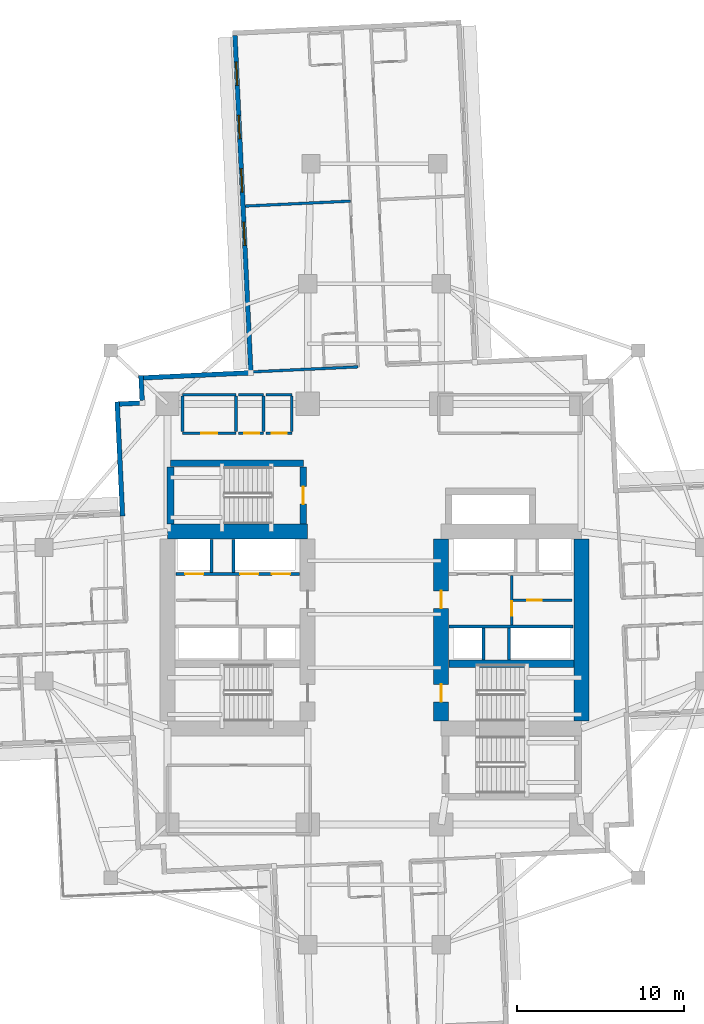
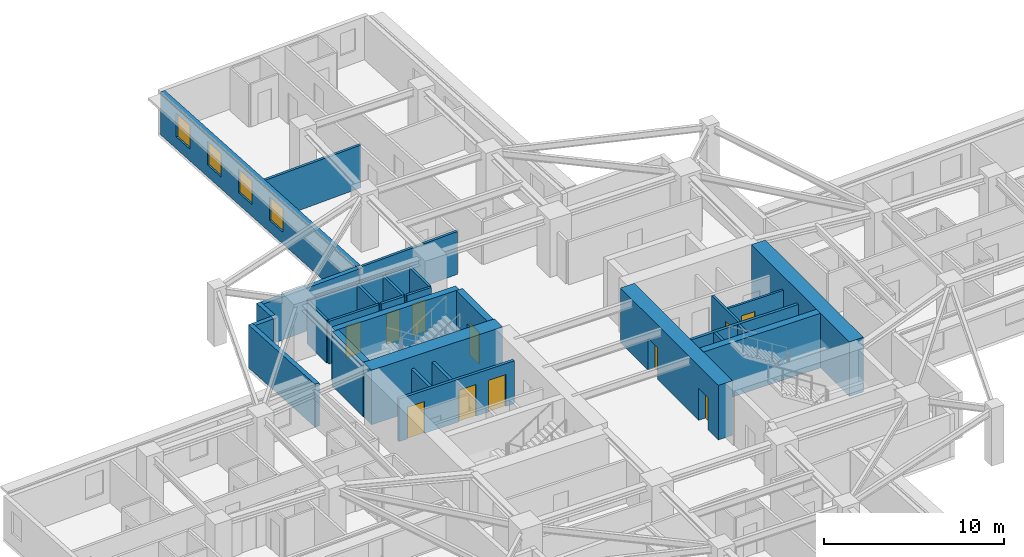
# One storey, part 6 of 14: 32 walls, 11 doors, 4 windows, 15 openings.
"""IFC4 building model written with IfcOpenShell, lengths in metres."""

import ifcopenshell
import ifcopenshell.guid

model = None  # the IFC model being written
_history = None  # IfcOwnerHistory: only IFC2X3 demands one
_inside = {}  # id of a spatial element -> (the spatial element, [elements in it])
_under = {}  # id of a project, library or spatial element -> (it, [spatial elements below it])
_declared = {}  # id of a project -> (the project, [libraries it declares])
_typed = {}  # id of a type object -> (the type object, [elements of that type])
_made_of = {}  # id of a material, layer set ... -> (it, [elements and type objects made of it])


def new_model(schema):
    """Start an empty IFC model of exactly this schema.

    Asked for "IFC4X3", IfcOpenShell would pick the latest addendum, in which some entities
    have other attributes; the version numbers below select the first issue.
    IFC2X3 requires an IfcOwnerHistory on every rooted entity: one is made here for all.
    """
    global model, _history
    if schema == "IFC4X3":
        model = ifcopenshell.file(schema_version=(4, 3, 0, 0))
    else:
        model = ifcopenshell.file(schema=schema)
    _inside.clear()
    _under.clear()
    _declared.clear()
    _typed.clear()
    _made_of.clear()
    _history = None
    if model.schema == "IFC2X3":
        org = make("IfcOrganization", Name="unknown")
        user = make(
            "IfcPersonAndOrganization",
            ThePerson=make("IfcPerson", FamilyName="unknown"),
            TheOrganization=org,
        )
        app = make(
            "IfcApplication",
            ApplicationDeveloper=org,
            Version="unknown",
            ApplicationFullName="unknown",
            ApplicationIdentifier="unknown",
        )
        _history = make(
            "IfcOwnerHistory",
            OwningUser=user,
            OwningApplication=app,
            ChangeAction="ADDED",
            CreationDate=0,
        )
    return model


def make(cls, **values):
    """One entity of the class cls with the attributes given. An attribute that is None is left unset."""
    return model.create_entity(
        cls, **{name: value for name, value in values.items() if value is not None}
    )


def rooted(cls, **values):
    """An entity with a GlobalId (a new one), such as an element, a storey or a relation."""
    return make(cls, GlobalId=ifcopenshell.guid.new(), OwnerHistory=_history, **values)


def si_unit(unit_type, name, prefix=None):
    """IfcSIUnit, for example si_unit("LENGTHUNIT", "METRE", prefix="MILLI")."""
    return make("IfcSIUnit", UnitType=unit_type, Prefix=prefix, Name=name)


def assignment(units):
    """IfcUnitAssignment: the units of a project."""
    return None if units is None else make("IfcUnitAssignment", Units=units)


def point(xyz):
    """IfcCartesianPoint."""
    return None if xyz is None else make("IfcCartesianPoint", Coordinates=xyz)


def direction(xyz):
    """IfcDirection."""
    return None if xyz is None else make("IfcDirection", DirectionRatios=xyz)


def frame(location, z_axis=None, x_axis=None):
    """IfcAxis2Placement3D, a coordinate frame: its origin and axes. An axis left out is left unset."""
    return make(
        "IfcAxis2Placement3D",
        Location=point(location),
        Axis=direction(z_axis),
        RefDirection=direction(x_axis),
    )


def frame_2d(location, x_axis=None):
    """IfcAxis2Placement2D, a coordinate frame in the plane: its origin and x axis."""
    return make(
        "IfcAxis2Placement2D", Location=point(location), RefDirection=direction(x_axis)
    )


def origin():
    """The frame at (0, 0, 0) with its axes left unset."""
    return frame((0.0, 0.0, 0.0))


def place(relative_to, where):
    """IfcLocalPlacement: puts the frame where relative to a parent placement (None: the world)."""
    return make(
        "IfcLocalPlacement", PlacementRelTo=relative_to, RelativePlacement=where
    )


def context(
    kind, dimensions, precision=None, world=None, true_north=None, identifier=None
):
    """IfcGeometricRepresentationContext, for example the 3D "Model" context."""
    return make(
        "IfcGeometricRepresentationContext",
        ContextIdentifier=identifier,
        ContextType=kind,
        CoordinateSpaceDimension=dimensions,
        Precision=precision,
        WorldCoordinateSystem=world,
        TrueNorth=true_north,
    )


def subcontext(parent, identifier, kind, view, scale=None):
    """IfcGeometricRepresentationSubContext, for example "Body" below "Model"."""
    return make(
        "IfcGeometricRepresentationSubContext",
        ContextIdentifier=identifier,
        ContextType=kind,
        ParentContext=parent,
        TargetScale=scale,
        TargetView=view,
    )


def project(units=None, contexts=None):
    """IfcProject with its units and contexts."""
    return rooted(
        "IfcProject",
        Name="project",
        RepresentationContexts=contexts,
        UnitsInContext=assignment(units),
    )


def spatial(cls, under=None, at=None, **own):
    """A site, building, storey or space (cls), placed at a placement, below another one or the project."""
    s = rooted(cls, ObjectPlacement=at, **own)
    if under is not None:
        _under.setdefault(under.id(), (under, []))[1].append(s)
    return s


def profile(cls, at=None, kind="AREA", **sizes):
    """A parametric profile (cls). Its sizes go by their IFC names, for example OverallWidth=200.0."""
    return make(cls, ProfileType=kind, Position=at, **sizes)


def rectangle(**sizes):
    """IfcRectangleProfileDef."""
    return profile("IfcRectangleProfileDef", **sizes)


def extrude(swept, where, along, depth):
    """IfcExtrudedAreaSolid: the profile swept, set in the frame where, extruded along a direction by depth."""
    return make(
        "IfcExtrudedAreaSolid",
        SweptArea=swept,
        Position=where,
        ExtrudedDirection=direction(along),
        Depth=depth,
    )


def shape(context_of_items, identifier, shape_type, items):
    """IfcShapeRepresentation: the items that make up one representation, for example the "Body"."""
    return make(
        "IfcShapeRepresentation",
        ContextOfItems=context_of_items,
        RepresentationIdentifier=identifier,
        RepresentationType=shape_type,
        Items=items,
    )


def material(Name=None, Category=None):
    """IfcMaterial."""
    return make("IfcMaterial", Name=Name, Category=Category)


def layer(
    of_material, thickness, ventilated=None, Name=None, Category=None, Priority=None
):
    """IfcMaterialLayer: one layer of a wall or slab, of a material (None: an air gap)."""
    return make(
        "IfcMaterialLayer",
        Material=of_material,
        LayerThickness=thickness,
        IsVentilated=ventilated,
        Name=Name,
        Category=Category,
        Priority=Priority,
    )


def layer_set(layers, Name=None):
    """IfcMaterialLayerSet."""
    return make("IfcMaterialLayerSet", MaterialLayers=layers, LayerSetName=Name)


def made_of(thing, what):
    """Note that an element or type object is made of a material, layer set ...; save() writes the relation."""
    if what is not None:
        _made_of.setdefault(what.id(), (what, []))[1].append(thing)
    return thing


def type_object(cls, material=None, **own):
    """A type object (cls), such as IfcWallType, which elements share."""
    return made_of(rooted(cls, **own), material)


def element(
    cls,
    number,
    at=None,
    inside=None,
    cuts=None,
    type_object=None,
    material=None,
    context=None,
    identifier="Body",
    shape_type=None,
    held_by="IfcProductDefinitionShape",
    body=None,
    shapes=None,
    **own,
):
    """One element of the class cls, such as IfcWall. Its Tag is "e" and its number.

    at: its placement. inside: the storey or other place that contains it. cuts: it is an
    opening in that element (IfcRelVoidsElement). A single representation is given by context,
    identifier, shape_type and body (its items); several are given by shapes. held_by: the class
    of the entity that holds the representations. save() writes the other relations.
    """
    e = rooted(cls, Tag="e%d" % number, ObjectPlacement=at, **own)
    if body is not None:
        shapes = [shape(context, identifier, shape_type, body)]
    if shapes is not None:
        e.Representation = make(held_by, Representations=shapes)
    if inside is not None:
        _inside.setdefault(inside.id(), (inside, []))[1].append(e)
    if cuts is not None:
        rooted(
            "IfcRelVoidsElement", RelatingBuildingElement=cuts, RelatedOpeningElement=e
        )
    if type_object is not None:
        _typed.setdefault(type_object.id(), (type_object, []))[1].append(e)
    return made_of(e, material)


def fill(opening, filler):
    """IfcRelFillsElement: the door or window that sits in an opening."""
    return rooted(
        "IfcRelFillsElement",
        RelatingOpeningElement=opening,
        RelatedBuildingElement=filler,
    )


def aggregate(whole, parts):
    """IfcRelAggregates: a whole, such as a stair, and the parts it consists of."""
    return rooted("IfcRelAggregates", RelatingObject=whole, RelatedObjects=parts)


def save(model, path):
    """Write the relations noted so far, then the file.

    IfcRelAggregates (storeys below a building ...), IfcRelContainedInSpatialStructure (elements
    in a storey), IfcRelDefinesByType, IfcRelAssociatesMaterial and IfcRelDeclares: one each for
    every whole, place, type object, material and project.
    """
    for whole, parts in _under.values():
        aggregate(whole, parts)
    for where, things in _inside.values():
        rooted(
            "IfcRelContainedInSpatialStructure",
            RelatedElements=things,
            RelatingStructure=where,
        )
    for kind, things in _typed.values():
        rooted("IfcRelDefinesByType", RelatedObjects=things, RelatingType=kind)
    for what, things in _made_of.values():
        rooted("IfcRelAssociatesMaterial", RelatedObjects=things, RelatingMaterial=what)
    for by, libraries in _declared.values():
        rooted("IfcRelDeclares", RelatingContext=by, RelatedDefinitions=libraries)
    model.write(path)


model = new_model("IFC4")

# Units and contexts
model_context = context("Model", 3, precision=1e-05, world=origin(), true_north=direction((0.0, 1.0)))
body_context = subcontext(model_context, "Body", "Model", "MODEL_VIEW")
ifc_project = project(units=[si_unit("LENGTHUNIT", "METRE"), si_unit("AREAUNIT", "SQUARE_METRE"), si_unit("VOLUMEUNIT", "CUBIC_METRE"), si_unit("PLANEANGLEUNIT", "RADIAN"), si_unit("MASSUNIT", "GRAM", prefix="KILO")], contexts=[model_context])

# Site, building, storey
site_placement = place(None, origin())
site = spatial("IfcSite", under=ifc_project, at=site_placement, CompositionType="ELEMENT")
building_placement = place(site_placement, origin())
building = spatial("IfcBuilding", under=site, at=building_placement, Name="Qingluan Cross Belvedere", CompositionType="ELEMENT")
storey_placement = place(building_placement, frame((0.0, 0.0, 52.199951171875)))
storey = spatial("IfcBuildingStorey", under=building, at=storey_placement, Name="L13", CompositionType="ELEMENT", Elevation=52.199951171875)

# Walls
ifc_material_1 = material(Name="Concrete C50", Category="concrete")
ifc_layer_1 = layer(ifc_material_1, 0.449951171875, Name="CoreShearWall_450")
ifc_layer_set_1 = layer_set([ifc_layer_1], Name="Concrete C50")
wall_type_1 = type_object("IfcWallType", Name="CoreShearWall_450", PredefinedType="SHEAR", material=ifc_layer_set_1)
wall_1_placement = place(storey_placement, frame((4.455078125, -2.9599609375, 0.0), z_axis=(0.0, 0.0, 1.0), x_axis=(1.0, 0.0, 0.0)))
element("IfcWall", 1, at=wall_1_placement, inside=storey, type_object=wall_type_1, Name="Split core E shear wall L13-M", PredefinedType="SHEAR", context=body_context, shape_type="SweptSolid", body=[
    extrude(rectangle(XDim=7.489990234375, YDim=0.449951171875, at=frame_2d((3.7451171875, 0.0))), origin(), (0.0, 0.0, 1.0), 3.699951171875),
])
wall_2_placement = place(storey_placement, frame((-12.219970703125, 9.0400390625, 0.0), z_axis=(0.0, 0.0, 1.0), x_axis=(1.0, 0.0, 0.0)))
element("IfcWall", 2, at=wall_2_placement, inside=storey, type_object=wall_type_1, Name="Stair ST3 structural wall N L13", PredefinedType="SHEAR", context=body_context, shape_type="SweptSolid", body=[
    extrude(rectangle(XDim=7.9599609375, YDim=0.39990234375, at=frame_2d((3.97998046875, 0.0))), origin(), (0.0, 0.0, 1.0), 3.699951171875),
])
wall_3_placement = place(storey_placement, frame((-12.219970703125, 5.405029296875, 0.0), z_axis=(0.0, 0.0, 1.0), x_axis=(0.0, 1.0, 0.0)))
element("IfcWall", 3, at=wall_3_placement, inside=storey, type_object=wall_type_1, Name="Stair ST3 structural wall W L13", PredefinedType="SHEAR", context=body_context, shape_type="SweptSolid", body=[
    extrude(rectangle(XDim=3.429931640625, YDim=0.39990234375, at=frame_2d((1.71484375, 0.0))), origin(), (0.0, 0.0, 1.0), 3.699951171875),
])

# Wall, opening, door
wall_4_placement = place(storey_placement, frame((-4.260009765625, 5.405029296875, 0.0), z_axis=(0.0, 0.0, 1.0), x_axis=(0.0, 1.0, 0.0)))
wall_4 = element("IfcWall", 4, at=wall_4_placement, inside=storey, type_object=wall_type_1, Name="Stair ST3 structural wall E L13", PredefinedType="SHEAR", context=body_context, shape_type="SweptSolid", body=[
    extrude(rectangle(XDim=3.429931640625, YDim=0.39990234375, at=frame_2d((1.71484375, 0.0))), origin(), (0.0, 0.0, 1.0), 3.699951171875),
])
opening_1_placement = place(wall_4_placement, frame((1.195068359375, 0.0, 0.0)))
opening_1 = element("IfcOpeningElement", 5, at=opening_1_placement, cuts=wall_4, Name="Opening FD-B11", PredefinedType="OPENING", context=body_context, shape_type="SweptSolid", body=[
    extrude(rectangle(XDim=1.050048828125, YDim=2.14990234375, at=frame_2d((0.52490234375, 1.074951171875))), frame((0.0, 0.2099609375, 0.0), z_axis=(0.0, -1.0, 0.0), x_axis=(1.0, 0.0, 0.0)), (0.0, 0.0, 1.0), 0.419921875),
])
ifc_material_2 = material(Name="Steel Class B smoke-seal fire door", Category="steel")
door_type_1 = type_object("IfcDoorType", Name="StairLobbyFireDoor_FDB", OperationType="NOTDEFINED", PredefinedType="DOOR", material=ifc_material_2)
door_1_placement = place(opening_1_placement, origin())
door_1 = element("IfcDoor", 6, at=door_1_placement, inside=storey, type_object=door_type_1, Name="Smoke-proof stair ST3 fire door L13", OperationType="SINGLE_SWING_RIGHT", OverallHeight=2.14990234375, OverallWidth=1.050048828125, PredefinedType="DOOR", context=body_context, shape_type="SweptSolid", body=[
    extrude(rectangle(XDim=1.050048828125, YDim=2.14990234375, at=frame_2d((0.52490234375, 1.074951171875))), frame((0.0, 0.02490234375, 0.0), z_axis=(0.0, -1.0, 0.0), x_axis=(1.0, 0.0, 0.0)), (0.0, 0.0, 1.0), 0.050048828125),
])
fill(opening_1, door_1)

# Wall
ifc_material_3 = material(Name="Concrete C70", Category="concrete")
ifc_layer_2 = layer(ifc_material_3, 0.89990234375, Name="CoreShearWall_900")
ifc_layer_set_2 = layer_set([ifc_layer_2], Name="Concrete C70")
wall_type_2 = type_object("IfcWallType", Name="CoreShearWall_900", PredefinedType="SHEAR", material=ifc_layer_set_2)
wall_5_placement = place(storey_placement, frame((-12.39990234375, 4.949951171875, 0.0), z_axis=(0.0, 0.0, 1.0), x_axis=(1.0, 0.0, 0.0)))
element("IfcWall", 7, at=wall_5_placement, inside=storey, type_object=wall_type_2, Name="Split core W shear wall L13-N", PredefinedType="SHEAR", context=body_context, shape_type="SweptSolid", body=[
    extrude(rectangle(XDim=8.39990234375, YDim=0.89990234375, at=frame_2d((4.199951171875, 0.0))), origin(), (0.0, 0.0, 1.0), 3.699951171875),
])

# Wall, openings, doors
wall_6_placement = place(storey_placement, frame((4.0, -6.39501953125, 0.0), z_axis=(0.0, 0.0, 1.0), x_axis=(0.0, 1.0, 0.0)))
wall_6 = element("IfcWall", 8, at=wall_6_placement, inside=storey, type_object=wall_type_2, Name="Split core E shear wall L13-W", PredefinedType="SHEAR", context=body_context, shape_type="SweptSolid", body=[
    extrude(rectangle(XDim=10.89013671875, YDim=0.89990234375, at=frame_2d((5.445068359375, 0.0))), origin(), (0.0, 0.0, 1.0), 3.699951171875),
])
opening_2_placement = place(wall_6_placement, frame((1.14501953125, 0.0, 0.0)))
opening_2 = element("IfcOpeningElement", 9, at=opening_2_placement, cuts=wall_6, Name="Opening FD-B11", PredefinedType="OPENING", context=body_context, shape_type="SweptSolid", body=[
    extrude(rectangle(XDim=1.050048828125, YDim=2.14990234375, at=frame_2d((0.52490234375, 1.074951171875))), frame((0.0, 0.4599609375, 0.0), z_axis=(0.0, -1.0, 0.0), x_axis=(1.0, 0.0, 0.0)), (0.0, 0.0, 1.0), 0.919921875),
])
opening_3_placement = place(wall_6_placement, frame((6.7451171875, 0.0, 0.0)))
opening_3 = element("IfcOpeningElement", 10, at=opening_3_placement, cuts=wall_6, Name="Opening FD-B11", PredefinedType="OPENING", context=body_context, shape_type="SweptSolid", body=[
    extrude(rectangle(XDim=1.050048828125, YDim=2.14990234375, at=frame_2d((0.52490234375, 1.074951171875))), frame((0.0, 0.4599609375, 0.0), z_axis=(0.0, -1.0, 0.0), x_axis=(1.0, 0.0, 0.0)), (0.0, 0.0, 1.0), 0.919921875),
])
door_2_placement = place(opening_2_placement, origin())
door_2 = element("IfcDoor", 11, at=door_2_placement, inside=storey, type_object=door_type_1, Name="Smoke-proof stair ST2 fire door L13", OperationType="SINGLE_SWING_LEFT", OverallHeight=2.14990234375, OverallWidth=1.050048828125, PredefinedType="DOOR", context=body_context, shape_type="SweptSolid", body=[
    extrude(rectangle(XDim=1.050048828125, YDim=2.14990234375, at=frame_2d((0.52490234375, 1.074951171875))), frame((0.0, 0.02490234375, 0.0), z_axis=(0.0, -1.0, 0.0), x_axis=(1.0, 0.0, 0.0)), (0.0, 0.0, 1.0), 0.050048828125),
])
fill(opening_2, door_2)
door_3_placement = place(opening_3_placement, origin())
door_3 = element("IfcDoor", 12, at=door_3_placement, inside=storey, type_object=door_type_1, Name="Firefighting lobby East fire door L13", OperationType="SINGLE_SWING_LEFT", OverallHeight=2.14990234375, OverallWidth=1.050048828125, PredefinedType="DOOR", context=body_context, shape_type="SweptSolid", body=[
    extrude(rectangle(XDim=1.050048828125, YDim=2.14990234375, at=frame_2d((0.52490234375, 1.074951171875))), frame((0.0, 0.02490234375, 0.0), z_axis=(0.0, -1.0, 0.0), x_axis=(1.0, 0.0, 0.0)), (0.0, 0.0, 1.0), 0.050048828125),
])
fill(opening_3, door_3)

# Wall
wall_7_placement = place(storey_placement, frame((12.39990234375, -6.39501953125, 0.0), z_axis=(0.0, 0.0, 1.0), x_axis=(0.0, 1.0, 0.0)))
element("IfcWall", 13, at=wall_7_placement, inside=storey, type_object=wall_type_2, Name="Split core E shear wall L13-E", PredefinedType="SHEAR", context=body_context, shape_type="SweptSolid", body=[
    extrude(rectangle(XDim=10.89013671875, YDim=0.89990234375, at=frame_2d((5.445068359375, 0.0))), origin(), (0.0, 0.0, 1.0), 3.699951171875),
])

# Wall, opening, door
ifc_material_4 = material(Name="Gypsum plasterboard on steel stud acoustic partition", Category="steel")
ifc_layer_3 = layer(ifc_material_4, 0.159912109375, Name="CorridorPartition_160")
ifc_layer_set_3 = layer_set([ifc_layer_3], Name="Gypsum plasterboard on steel stud acoustic partition")
wall_type_3 = type_object("IfcWallType", Name="CorridorPartition_160", PredefinedType="PARTITIONING", material=ifc_layer_set_3)
wall_8_placement = place(storey_placement, frame((8.298095703125, 0.830078125, 0.0), z_axis=(0.0, 0.0, 1.0), x_axis=(1.0, 0.0, 0.0)))
wall_8 = element("IfcWall", 14, at=wall_8_placement, inside=storey, type_object=wall_type_3, Name="Partition L13:e", PredefinedType="PARTITIONING", context=body_context, shape_type="SweptSolid", body=[
    extrude(rectangle(XDim=3.552001953125, YDim=0.139892578125, at=frame_2d((1.77587890625, 0.0))), origin(), (0.0, 0.0, 1.0), 2.900146484375),
])
opening_4_placement = place(wall_8_placement, frame((0.85009765625, 0.0, 0.0)))
opening_4 = element("IfcOpeningElement", 15, at=opening_4_placement, cuts=wall_8, Name="Opening FD-B10", PredefinedType="OPENING", context=body_context, shape_type="SweptSolid", body=[
    extrude(rectangle(XDim=0.8798828125, YDim=2.10009765625, at=frame_2d((0.43994140625, 1.050048828125))), frame((0.0, 0.079833984375, 0.0), z_axis=(0.0, -1.0, 0.0), x_axis=(1.0, 0.0, 0.0)), (0.0, 0.0, 1.0), 0.159912109375),
])
ifc_material_5 = material(Name="Steel Class B service fire door", Category="steel")
door_type_2 = type_object("IfcDoorType", Name="RiserServiceFireDoor_FDB", OperationType="NOTDEFINED", PredefinedType="DOOR", material=ifc_material_5)
door_4_placement = place(opening_4_placement, origin())
door_4 = element("IfcDoor", 16, at=door_4_placement, inside=storey, type_object=door_type_2, Name="Service closet inner door L13", OperationType="SINGLE_SWING_LEFT", OverallHeight=2.10009765625, OverallWidth=0.8798828125, PredefinedType="DOOR", context=body_context, shape_type="SweptSolid", body=[
    extrude(rectangle(XDim=0.8798828125, YDim=2.10009765625, at=frame_2d((0.43994140625, 1.050048828125))), frame((0.0, 0.02490234375, 0.0), z_axis=(0.0, -1.0, 0.0), x_axis=(1.0, 0.0, 0.0)), (0.0, 0.0, 1.0), 0.050048828125),
])
fill(opening_4, door_4)

wall_9_placement = place(storey_placement, frame((-11.5, 10.85009765625, 0.0), z_axis=(0.0, 0.0, 1.0), x_axis=(1.0, 0.0, 0.0)))
wall_9 = element("IfcWall", 17, at=wall_9_placement, inside=storey, type_object=wall_type_3, Name="Partition L13:q_nw_occ:S", PredefinedType="PARTITIONING", context=body_context, shape_type="SweptSolid", body=[
    extrude(rectangle(XDim=3.199951171875, YDim=0.159912109375, at=frame_2d((1.60009765625, 0.0))), origin(), (0.0, 0.0, 1.0), 2.900146484375),
])
opening_5_placement = place(wall_9_placement, frame((1.1201171875, 0.0, 0.0)))
opening_5 = element("IfcOpeningElement", 18, at=opening_5_placement, cuts=wall_9, Name="Opening GD-10", PredefinedType="OPENING", context=body_context, shape_type="SweptSolid", body=[
    extrude(rectangle(XDim=0.9599609375, YDim=2.14990234375, at=frame_2d((0.47998046875, 1.074951171875))), frame((0.0, 0.08984375, 0.0), z_axis=(0.0, -1.0, 0.0), x_axis=(1.0, 0.0, 0.0)), (0.0, 0.0, 1.0), 0.179931640625),
])
ifc_material_6 = material(Name="Timber oak fire-rated acoustic guestroom door", Category="wood")
door_type_3 = type_object("IfcDoorType", Name="GuestEntryDoor_FD60", OperationType="NOTDEFINED", PredefinedType="DOOR", material=ifc_material_6)
door_5_placement = place(opening_5_placement, origin())
door_5 = element("IfcDoor", 19, at=door_5_placement, inside=storey, type_object=door_type_3, Name="Northwest corner reading salon L13 door", OperationType="SINGLE_SWING_RIGHT", OverallHeight=2.14990234375, OverallWidth=0.9599609375, PredefinedType="DOOR", context=body_context, shape_type="SweptSolid", body=[
    extrude(rectangle(XDim=0.9599609375, YDim=2.14990234375, at=frame_2d((0.47998046875, 1.074951171875))), frame((0.0, 0.02490234375, 0.0), z_axis=(0.0, -1.0, 0.0), x_axis=(1.0, 0.0, 0.0)), (0.0, 0.0, 1.0), 0.050048828125),
])
fill(opening_5, door_5)

# Walls
wall_10_placement = place(storey_placement, frame((-11.5, 13.14990234375, 0.0), z_axis=(0.0, 0.0, 1.0), x_axis=(1.0, 0.0, 0.0)))
element("IfcWall", 20, at=wall_10_placement, inside=storey, type_object=wall_type_3, Name="Partition L13:q_nw_occ:N", PredefinedType="PARTITIONING", context=body_context, shape_type="SweptSolid", body=[
    extrude(rectangle(XDim=3.199951171875, YDim=0.159912109375, at=frame_2d((1.60009765625, 0.0))), origin(), (0.0, 0.0, 1.0), 2.900146484375),
])
for number, where, z_axis, x_axis, name in (
    (21, (-11.5, 10.93505859375, 0.0), (0.0, 0.0, 1.0), (0.0, 1.0, 0.0), "Partition L13:q_nw_occ:W"),
    (22, (-8.300048828125, 10.93505859375, 0.0), (0.0, 0.0, 1.0), (0.0, 1.0, 0.0), "Partition L13:q_nw_occ:E"),
):
    element("IfcWall", number, at=place(storey_placement, frame(where, z_axis=z_axis, x_axis=x_axis)), inside=storey, type_object=wall_type_3, Name=name, PredefinedType="PARTITIONING", context=body_context, shape_type="SweptSolid", body=[
        extrude(rectangle(XDim=2.1298828125, YDim=0.159912109375, at=frame_2d((1.06494140625, 0.0))), origin(), (0.0, 0.0, 1.0), 2.900146484375),
    ])

# Wall, opening, door
wall_11_placement = place(storey_placement, frame((-8.139892578125, 10.85009765625, 0.0), z_axis=(0.0, 0.0, 1.0), x_axis=(1.0, 0.0, 0.0)))
wall_11 = element("IfcWall", 23, at=wall_11_placement, inside=storey, type_object=wall_type_3, Name="Partition L13:hk_linen:S", PredefinedType="PARTITIONING", context=body_context, shape_type="SweptSolid", body=[
    extrude(rectangle(XDim=1.489990234375, YDim=0.159912109375, at=frame_2d((0.7451171875, 0.0))), origin(), (0.0, 0.0, 1.0), 2.900146484375),
])
opening_6_placement = place(wall_11_placement, frame((0.35009765625, 0.0, 0.0)))
opening_6 = element("IfcOpeningElement", 24, at=opening_6_placement, cuts=wall_11, Name="Opening FD-B10", PredefinedType="OPENING", context=body_context, shape_type="SweptSolid", body=[
    extrude(rectangle(XDim=0.8798828125, YDim=2.10009765625, at=frame_2d((0.43994140625, 1.050048828125))), frame((0.0, 0.08984375, 0.0), z_axis=(0.0, -1.0, 0.0), x_axis=(1.0, 0.0, 0.0)), (0.0, 0.0, 1.0), 0.179931640625),
])
door_6_placement = place(opening_6_placement, origin())
door_6 = element("IfcDoor", 25, at=door_6_placement, inside=storey, type_object=door_type_2, Name="Housekeeping and linen store L13 door", OperationType="SINGLE_SWING_LEFT", OverallHeight=2.10009765625, OverallWidth=0.8798828125, PredefinedType="DOOR", context=body_context, shape_type="SweptSolid", body=[
    extrude(rectangle(XDim=0.8798828125, YDim=2.10009765625, at=frame_2d((0.43994140625, 1.050048828125))), frame((0.0, 0.02490234375, 0.0), z_axis=(0.0, -1.0, 0.0), x_axis=(1.0, 0.0, 0.0)), (0.0, 0.0, 1.0), 0.050048828125),
])
fill(opening_6, door_6)

# Walls
wall_12_placement = place(storey_placement, frame((-8.139892578125, 13.14990234375, 0.0), z_axis=(0.0, 0.0, 1.0), x_axis=(1.0, 0.0, 0.0)))
element("IfcWall", 26, at=wall_12_placement, inside=storey, type_object=wall_type_3, Name="Partition L13:hk_linen:N", PredefinedType="PARTITIONING", context=body_context, shape_type="SweptSolid", body=[
    extrude(rectangle(XDim=1.489990234375, YDim=0.159912109375, at=frame_2d((0.7451171875, 0.0))), origin(), (0.0, 0.0, 1.0), 2.900146484375),
])
wall_13_placement = place(storey_placement, frame((-6.64990234375, 10.93505859375, 0.0), z_axis=(0.0, 0.0, 1.0), x_axis=(0.0, 1.0, 0.0)))
element("IfcWall", 27, at=wall_13_placement, inside=storey, type_object=wall_type_3, Name="Partition L13:hk_linen:E", PredefinedType="PARTITIONING", context=body_context, shape_type="SweptSolid", body=[
    extrude(rectangle(XDim=2.1298828125, YDim=0.159912109375, at=frame_2d((1.06494140625, 0.0))), origin(), (0.0, 0.0, 1.0), 2.900146484375),
])

# Wall, opening, door
wall_14_placement = place(storey_placement, frame((-6.489990234375, 10.85009765625, 0.0), z_axis=(0.0, 0.0, 1.0), x_axis=(1.0, 0.0, 0.0)))
wall_14 = element("IfcWall", 28, at=wall_14_placement, inside=storey, type_object=wall_type_3, Name="Partition L13:floor_acc_wc:S", PredefinedType="PARTITIONING", context=body_context, shape_type="SweptSolid", body=[
    extrude(rectangle(XDim=1.5400390625, YDim=0.159912109375, at=frame_2d((0.77001953125, 0.0))), origin(), (0.0, 0.0, 1.0), 2.900146484375),
])
opening_7_placement = place(wall_14_placement, frame((0.35009765625, 0.0, 0.0)))
opening_7 = element("IfcOpeningElement", 29, at=opening_7_placement, cuts=wall_14, Name="Opening BD-08", PredefinedType="OPENING", context=body_context, shape_type="SweptSolid", body=[
    extrude(rectangle(XDim=0.8798828125, YDim=2.14990234375, at=frame_2d((0.43994140625, 1.074951171875))), frame((0.0, 0.08984375, 0.0), z_axis=(0.0, -1.0, 0.0), x_axis=(1.0, 0.0, 0.0)), (0.0, 0.0, 1.0), 0.179931640625),
])
ifc_material_7 = material(Name="Moisture-sealed timber accessible WC door", Category="wood")
door_type_4 = type_object("IfcDoorType", Name="AccessibleWCDoor_880", OperationType="NOTDEFINED", PredefinedType="DOOR", material=ifc_material_7)
door_7_placement = place(opening_7_placement, origin())
door_7 = element("IfcDoor", 30, at=door_7_placement, inside=storey, type_object=door_type_4, Name="Accessible guest washroom L13 door", OperationType="SINGLE_SWING_RIGHT", OverallHeight=2.14990234375, OverallWidth=0.8798828125, PredefinedType="DOOR", context=body_context, shape_type="SweptSolid", body=[
    extrude(rectangle(XDim=0.8798828125, YDim=2.14990234375, at=frame_2d((0.43994140625, 1.074951171875))), frame((0.0, 0.02490234375, 0.0), z_axis=(0.0, -1.0, 0.0), x_axis=(1.0, 0.0, 0.0)), (0.0, 0.0, 1.0), 0.050048828125),
])
fill(opening_7, door_7)

# Walls
wall_15_placement = place(storey_placement, frame((-6.489990234375, 13.14990234375, 0.0), z_axis=(0.0, 0.0, 1.0), x_axis=(1.0, 0.0, 0.0)))
element("IfcWall", 31, at=wall_15_placement, inside=storey, type_object=wall_type_3, Name="Partition L13:floor_acc_wc:N", PredefinedType="PARTITIONING", context=body_context, shape_type="SweptSolid", body=[
    extrude(rectangle(XDim=1.5400390625, YDim=0.159912109375, at=frame_2d((0.77001953125, 0.0))), origin(), (0.0, 0.0, 1.0), 2.900146484375),
])
wall_16_placement = place(storey_placement, frame((-4.949951171875, 10.93505859375, 0.0), z_axis=(0.0, 0.0, 1.0), x_axis=(0.0, 1.0, 0.0)))
element("IfcWall", 32, at=wall_16_placement, inside=storey, type_object=wall_type_3, Name="Partition L13:floor_acc_wc:E", PredefinedType="PARTITIONING", context=body_context, shape_type="SweptSolid", body=[
    extrude(rectangle(XDim=2.1298828125, YDim=0.159912109375, at=frame_2d((1.06494140625, 0.0))), origin(), (0.0, 0.0, 1.0), 2.900146484375),
])
wall_17_placement = place(storey_placement, frame((-0.979248046875, 14.8203125, 0.0), z_axis=(0.0, 0.0, 1.0), x_axis=(-0.998890922349, -0.047084235666, 0.0)))
element("IfcWall", 33, at=wall_17_placement, inside=storey, type_object=wall_type_3, Name="Partition L13:N:s1", PredefinedType="PARTITIONING", context=body_context, shape_type="SweptSolid", body=[
    extrude(rectangle(XDim=6.43994140625, YDim=0.159912109375, at=frame_2d((3.219970703125, 0.0))), origin(), (0.0, 0.0, 1.0), 2.900146484375),
])
wall_18_placement = place(storey_placement, frame((-1.447509765625, 24.750244140625, 0.0), z_axis=(0.0, 0.0, 1.0), x_axis=(-0.998889891508, -0.047106099844, 0.0)))
element("IfcWall", 34, at=wall_18_placement, inside=storey, type_object=wall_type_3, Name="Partition L13:N:d1_0", PredefinedType="PARTITIONING", context=body_context, shape_type="SweptSolid", body=[
    extrude(rectangle(XDim=6.2919921875, YDim=0.159912109375, at=frame_2d((3.14599609375, 0.0))), origin(), (0.0, 0.0, 1.0), 2.900146484375),
])

# Wall, openings, windows
ifc_material_8 = material(Name="Precast concrete C45", Category="concrete")
ifc_layer_4 = layer(ifc_material_8, 0.280029296875, Name="PrecastFacadeWall_280")
ifc_layer_set_4 = layer_set([ifc_layer_4], Name="Precast concrete C45")
wall_type_4 = type_object("IfcWallType", Name="PrecastFacadeWall_280", PredefinedType="STANDARD", material=ifc_layer_set_4)
wall_19_placement = place(storey_placement, frame((-8.363037109375, 34.6845703125, 0.0), z_axis=(0.0, 0.0, 1.0), x_axis=(0.047103473814, -0.998890015344, 0.0)))
wall_19 = element("IfcWall", 35, at=wall_19_placement, inside=storey, type_object=wall_type_4, Name="Facade wall L13-NB", PredefinedType="STANDARD", context=body_context, shape_type="SweptSolid", body=[
    extrude(rectangle(XDim=20.099853515625, YDim=0.280029296875, at=frame_2d((10.0498046875, 0.0))), origin(), (0.0, 0.0, 1.0), 2.91015625),
])
opening_8_placement = place(wall_19_placement, frame((1.60009765625, 0.0, 0.800048828125)))
opening_8 = element("IfcOpeningElement", 36, at=opening_8_placement, cuts=wall_19, Name="Opening W-01", PredefinedType="OPENING", context=body_context, shape_type="SweptSolid", body=[
    extrude(rectangle(XDim=1.39990234375, YDim=1.60009765625, at=frame_2d((0.699951171875, 0.800048828125))), frame((0.0, 0.14990234375, 0.0), z_axis=(0.0, -1.0, 0.0), x_axis=(1.0, 0.0, 0.0)), (0.0, 0.0, 1.0), 0.300048828125),
])
opening_9_placement = place(wall_19_placement, frame((4.800048828125, 0.0, 0.800048828125)))
opening_9 = element("IfcOpeningElement", 37, at=opening_9_placement, cuts=wall_19, Name="Opening W-01", PredefinedType="OPENING", context=body_context, shape_type="SweptSolid", body=[
    extrude(rectangle(XDim=1.39990234375, YDim=1.60009765625, at=frame_2d((0.699951171875, 0.800048828125))), frame((0.0, 0.14990234375, 0.0), z_axis=(0.0, -1.0, 0.0), x_axis=(1.0, 0.0, 0.0)), (0.0, 0.0, 1.0), 0.300048828125),
])
opening_10_placement = place(wall_19_placement, frame((8.0, 0.0, 0.800048828125)))
opening_10 = element("IfcOpeningElement", 38, at=opening_10_placement, cuts=wall_19, Name="Opening W-01", PredefinedType="OPENING", context=body_context, shape_type="SweptSolid", body=[
    extrude(rectangle(XDim=1.39990234375, YDim=1.60009765625, at=frame_2d((0.699951171875, 0.800048828125))), frame((0.0, 0.14990234375, 0.0), z_axis=(0.0, -1.0, 0.0), x_axis=(1.0, 0.0, 0.0)), (0.0, 0.0, 1.0), 0.300048828125),
])
opening_11_placement = place(wall_19_placement, frame((11.199951171875, 0.0, 0.800048828125)))
opening_11 = element("IfcOpeningElement", 39, at=opening_11_placement, cuts=wall_19, Name="Opening W-01", PredefinedType="OPENING", context=body_context, shape_type="SweptSolid", body=[
    extrude(rectangle(XDim=1.39990234375, YDim=1.60009765625, at=frame_2d((0.699951171875, 0.800048828125))), frame((0.0, 0.14990234375, 0.0), z_axis=(0.0, -1.0, 0.0), x_axis=(1.0, 0.0, 0.0)), (0.0, 0.0, 1.0), 0.300048828125),
])
ifc_material_9 = material(Name="Thermally broken triple Low-E glass in aluminium frame", Category="aluminium")
window_type = type_object("IfcWindowType", Name="TriRibbonWin_1400x1600", PartitioningType="SINGLE_PANEL", PredefinedType="WINDOW", material=ifc_material_9)
window_1_placement = place(opening_8_placement, origin())
window_1 = element("IfcWindow", 40, at=window_1_placement, inside=storey, type_object=window_type, Name="Ribbon window L13-NB-1", OverallHeight=1.60009765625, OverallWidth=1.39990234375, PartitioningType="SINGLE_PANEL", PredefinedType="WINDOW", context=body_context, shape_type="SweptSolid", body=[
    extrude(rectangle(XDim=1.39990234375, YDim=1.60009765625, at=frame_2d((0.699951171875, 0.800048828125))), frame((0.0, 0.030029296875, 0.0), z_axis=(0.0, -1.0, 0.0), x_axis=(1.0, 0.0, 0.0)), (0.0, 0.0, 1.0), 0.06005859375),
])
fill(opening_8, window_1)
window_2_placement = place(opening_9_placement, origin())
window_2 = element("IfcWindow", 41, at=window_2_placement, inside=storey, type_object=window_type, Name="Ribbon window L13-NB-2", OverallHeight=1.60009765625, OverallWidth=1.39990234375, PartitioningType="SINGLE_PANEL", PredefinedType="WINDOW", context=body_context, shape_type="SweptSolid", body=[
    extrude(rectangle(XDim=1.39990234375, YDim=1.60009765625, at=frame_2d((0.699951171875, 0.800048828125))), frame((0.0, 0.030029296875, 0.0), z_axis=(0.0, -1.0, 0.0), x_axis=(1.0, 0.0, 0.0)), (0.0, 0.0, 1.0), 0.06005859375),
])
fill(opening_9, window_2)
window_3_placement = place(opening_10_placement, origin())
window_3 = element("IfcWindow", 42, at=window_3_placement, inside=storey, type_object=window_type, Name="Ribbon window L13-NB-3", OverallHeight=1.60009765625, OverallWidth=1.39990234375, PartitioningType="SINGLE_PANEL", PredefinedType="WINDOW", context=body_context, shape_type="SweptSolid", body=[
    extrude(rectangle(XDim=1.39990234375, YDim=1.60009765625, at=frame_2d((0.699951171875, 0.800048828125))), frame((0.0, 0.030029296875, 0.0), z_axis=(0.0, -1.0, 0.0), x_axis=(1.0, 0.0, 0.0)), (0.0, 0.0, 1.0), 0.06005859375),
])
fill(opening_10, window_3)
window_4_placement = place(opening_11_placement, origin())
window_4 = element("IfcWindow", 43, at=window_4_placement, inside=storey, type_object=window_type, Name="Ribbon window L13-NB-4", OverallHeight=1.60009765625, OverallWidth=1.39990234375, PartitioningType="SINGLE_PANEL", PredefinedType="WINDOW", context=body_context, shape_type="SweptSolid", body=[
    extrude(rectangle(XDim=1.39990234375, YDim=1.60009765625, at=frame_2d((0.699951171875, 0.800048828125))), frame((0.0, 0.030029296875, 0.0), z_axis=(0.0, -1.0, 0.0), x_axis=(1.0, 0.0, 0.0)), (0.0, 0.0, 1.0), 0.06005859375),
])
fill(opening_11, window_4)

# Walls
wall_20_placement = place(storey_placement, frame((-15.093505859375, 5.87548828125, 0.0), z_axis=(0.0, 0.0, 1.0), x_axis=(-0.04712043756, 0.998889215261, 0.0)))
element("IfcWall", 44, at=wall_20_placement, inside=storey, type_object=wall_type_4, Name="Corner wall L13-NW1", PredefinedType="STANDARD", context=body_context, shape_type="SweptSolid", body=[
    extrude(rectangle(XDim=6.85986328125, YDim=0.280029296875, at=frame_2d((3.429931640625, 0.0))), origin(), (0.0, 0.0, 1.0), 2.91015625),
])
wall_21_placement = place(storey_placement, frame((-15.270263671875, 12.5947265625, 0.0), z_axis=(0.0, 0.0, 1.0), x_axis=(0.998893795343, 0.047023245574, 0.0)))
element("IfcWall", 45, at=wall_21_placement, inside=storey, type_object=wall_type_4, Name="Corner wall L13-NW2", PredefinedType="STANDARD", context=body_context, shape_type="SweptSolid", body=[
    extrude(rectangle(XDim=1.22021484375, YDim=0.280029296875, at=frame_2d((0.610107421875, 0.0))), origin(), (0.0, 0.0, 1.0), 2.91015625),
])
wall_22_placement = place(storey_placement, frame((-13.918212890625, 12.798583984375, 0.0), z_axis=(0.0, 0.0, 1.0), x_axis=(-0.047201688113, 0.99888537913, 0.0)))
element("IfcWall", 46, at=wall_22_placement, inside=storey, type_object=wall_type_4, Name="Corner wall L13-NW3", PredefinedType="STANDARD", context=body_context, shape_type="SweptSolid", body=[
    extrude(rectangle(XDim=1.5, YDim=0.280029296875, at=frame_2d((0.75, 0.0))), origin(), (0.0, 0.0, 1.0), 2.91015625),
])
wall_23_placement = place(storey_placement, frame((-13.842529296875, 14.16357421875, 0.0), z_axis=(0.0, 0.0, 1.0), x_axis=(0.998889082162, 0.047123258997, 0.0)))
element("IfcWall", 47, at=wall_23_placement, inside=storey, type_object=wall_type_4, Name="Corner wall L13-NW4", PredefinedType="STANDARD", context=body_context, shape_type="SweptSolid", body=[
    extrude(rectangle(XDim=6.300048828125, YDim=0.280029296875, at=frame_2d((3.14990234375, 0.0))), origin(), (0.0, 0.0, 1.0), 2.91015625),
])

# Wall, openings, doors
ifc_material_10 = material(Name="Concrete C40", Category="concrete")
ifc_layer_5 = layer(ifc_material_10, 0.219970703125, Name="ShaftEnclosureWall_250")
ifc_layer_set_5 = layer_set([ifc_layer_5], Name="Concrete C40")
wall_type_5 = type_object("IfcWallType", Name="ShaftEnclosureWall_250", PredefinedType="SOLIDWALL", material=ifc_layer_set_5)
wall_24_placement = place(storey_placement, frame((-11.89990234375, 2.409912109375, 0.0), z_axis=(0.0, 0.0, 1.0), x_axis=(1.0, 0.0, 0.0)))
wall_24 = element("IfcWall", 48, at=wall_24_placement, inside=storey, type_object=wall_type_5, Name="Core-W north hoistway wall L13", PredefinedType="SOLIDWALL", context=body_context, shape_type="SweptSolid", body=[
    extrude(rectangle(XDim=7.419921875, YDim=0.179931640625, at=frame_2d((3.7099609375, 0.0))), origin(), (0.0, 0.0, 1.0), 2.900146484375),
])
opening_12_placement = place(wall_24_placement, frame((0.550048828125, 0.0, 0.0)))
opening_12 = element("IfcOpeningElement", 49, at=opening_12_placement, cuts=wall_24, Name="Opening LD-11", PredefinedType="OPENING", context=body_context, shape_type="SweptSolid", body=[
    extrude(rectangle(XDim=1.10009765625, YDim=2.14990234375, at=frame_2d((0.550048828125, 1.074951171875))), frame((0.0, 0.099853515625, 0.0), z_axis=(0.0, -1.0, 0.0), x_axis=(1.0, 0.0, 0.0)), (0.0, 0.0, 1.0), 0.199951171875),
])
opening_13_placement = place(wall_24_placement, frame((3.85009765625, 0.0, 0.0)))
opening_13 = element("IfcOpeningElement", 50, at=opening_13_placement, cuts=wall_24, Name="Opening LD-11", PredefinedType="OPENING", context=body_context, shape_type="SweptSolid", body=[
    extrude(rectangle(XDim=1.10009765625, YDim=2.14990234375, at=frame_2d((0.550048828125, 1.074951171875))), frame((0.0, 0.099853515625, 0.0), z_axis=(0.0, -1.0, 0.0), x_axis=(1.0, 0.0, 0.0)), (0.0, 0.0, 1.0), 0.199951171875),
])
opening_14_placement = place(wall_24_placement, frame((5.75, 0.0, 0.0)))
opening_14 = element("IfcOpeningElement", 51, at=opening_14_placement, cuts=wall_24, Name="Opening LD-11", PredefinedType="OPENING", context=body_context, shape_type="SweptSolid", body=[
    extrude(rectangle(XDim=1.10009765625, YDim=2.14990234375, at=frame_2d((0.550048828125, 1.074951171875))), frame((0.0, 0.099853515625, 0.0), z_axis=(0.0, -1.0, 0.0), x_axis=(1.0, 0.0, 0.0)), (0.0, 0.0, 1.0), 0.199951171875),
])
ifc_material_11 = material(Name="Brushed stainless steel centre-opening lift landing door", Category="steel")
door_type_5 = type_object("IfcDoorType", Name="LiftLandingSlidingDoor_1100", OperationType="DOUBLE_DOOR_SLIDING", PredefinedType="DOOR", material=ifc_material_11)
door_8_placement = place(opening_12_placement, origin())
door_8 = element("IfcDoor", 52, at=door_8_placement, inside=storey, type_object=door_type_5, Name="Lift landing sliding door FL1 L13", OperationType="DOUBLE_DOOR_SLIDING", OverallHeight=2.14990234375, OverallWidth=1.10009765625, PredefinedType="DOOR", context=body_context, shape_type="SweptSolid", body=[
    extrude(rectangle(XDim=1.10009765625, YDim=2.14990234375, at=frame_2d((0.550048828125, 1.074951171875))), frame((0.0, 0.02490234375, 0.0), z_axis=(0.0, -1.0, 0.0), x_axis=(1.0, 0.0, 0.0)), (0.0, 0.0, 1.0), 0.050048828125),
])
fill(opening_12, door_8)
door_9_placement = place(opening_13_placement, origin())
door_9 = element("IfcDoor", 53, at=door_9_placement, inside=storey, type_object=door_type_5, Name="Lift landing sliding door LP1 L13", OperationType="DOUBLE_DOOR_SLIDING", OverallHeight=2.14990234375, OverallWidth=1.10009765625, PredefinedType="DOOR", context=body_context, shape_type="SweptSolid", body=[
    extrude(rectangle(XDim=1.10009765625, YDim=2.14990234375, at=frame_2d((0.550048828125, 1.074951171875))), frame((0.0, 0.02490234375, 0.0), z_axis=(0.0, -1.0, 0.0), x_axis=(1.0, 0.0, 0.0)), (0.0, 0.0, 1.0), 0.050048828125),
])
fill(opening_13, door_9)
door_10_placement = place(opening_14_placement, origin())
door_10 = element("IfcDoor", 54, at=door_10_placement, inside=storey, type_object=door_type_5, Name="Lift landing sliding door LP2 L13", OperationType="DOUBLE_DOOR_SLIDING", OverallHeight=2.14990234375, OverallWidth=1.10009765625, PredefinedType="DOOR", context=body_context, shape_type="SweptSolid", body=[
    extrude(rectangle(XDim=1.10009765625, YDim=2.14990234375, at=frame_2d((0.550048828125, 1.074951171875))), frame((0.0, 0.02490234375, 0.0), z_axis=(0.0, -1.0, 0.0), x_axis=(1.0, 0.0, 0.0)), (0.0, 0.0, 1.0), 0.050048828125),
])
fill(opening_14, door_10)

# Walls
wall_25_placement = place(storey_placement, frame((4.47998046875, -0.75, 0.0), z_axis=(0.0, 0.0, 1.0), x_axis=(1.0, 0.0, 0.0)))
element("IfcWall", 55, at=wall_25_placement, inside=storey, type_object=wall_type_5, Name="Core-E mid hoistway wall L13", PredefinedType="SOLIDWALL", context=body_context, shape_type="SweptSolid", body=[
    extrude(rectangle(XDim=7.419921875, YDim=0.179931640625, at=frame_2d((3.7099609375, 0.0))), origin(), (0.0, 0.0, 1.0), 2.900146484375),
])
for number, where, z_axis, x_axis, name in (
    (56, (-9.760009765625, 2.5, 0.0), (0.0, 0.0, 1.0), (0.0, 1.0, 0.0), "Hoistway enclosure divider FL1E L13"),
    (57, (-8.43994140625, 2.5, 0.0), (0.0, 0.0, 1.0), (0.0, 1.0, 0.0), "Hoistway enclosure divider LP1W L13"),
):
    element("IfcWall", number, at=place(storey_placement, frame(where, z_axis=z_axis, x_axis=x_axis)), inside=storey, type_object=wall_type_5, Name=name, PredefinedType="SOLIDWALL", context=body_context, shape_type="SweptSolid", body=[
        extrude(rectangle(XDim=1.989990234375, YDim=0.179931640625, at=frame_2d((0.9951171875, 0.0))), origin(), (0.0, 0.0, 1.0), 2.900146484375),
    ])
for number, where, z_axis, x_axis, name in (
    (58, (6.5400390625, -2.72998046875, 0.0), (0.0, 0.0, 1.0), (0.0, 1.0, 0.0), "Hoistway enclosure divider LP7E L13"),
    (59, (8.06005859375, -2.72998046875, 0.0), (0.0, 0.0, 1.0), (0.0, 1.0, 0.0), "Hoistway enclosure divider LP9W L13"),
):
    element("IfcWall", number, at=place(storey_placement, frame(where, z_axis=z_axis, x_axis=x_axis)), inside=storey, type_object=wall_type_5, Name=name, PredefinedType="SOLIDWALL", context=body_context, shape_type="SweptSolid", body=[
        extrude(rectangle(XDim=1.889892578125, YDim=0.179931640625, at=frame_2d((0.94482421875, 0.0))), origin(), (0.0, 0.0, 1.0), 2.900146484375),
    ])

# Wall, opening, door
wall_26_placement = place(storey_placement, frame((8.219970703125, -0.64990234375, 0.0), z_axis=(0.0, 0.0, 1.0), x_axis=(0.0, 1.0, 0.0)))
wall_26 = element("IfcWall", 60, at=wall_26_placement, inside=storey, type_object=wall_type_5, Name="Core-E service corridor wall L13", PredefinedType="SOLIDWALL", context=body_context, shape_type="SweptSolid", body=[
    extrude(rectangle(XDim=2.9599609375, YDim=0.139892578125, at=frame_2d((1.47998046875, 0.0))), origin(), (0.0, 0.0, 1.0), 2.900146484375),
])
opening_15_placement = place(wall_26_placement, frame((0.550048828125, 0.0, 0.0)))
opening_15 = element("IfcOpeningElement", 61, at=opening_15_placement, cuts=wall_26, Name="Opening FD-B10", PredefinedType="OPENING", context=body_context, shape_type="SweptSolid", body=[
    extrude(rectangle(XDim=0.8798828125, YDim=2.10009765625, at=frame_2d((0.43994140625, 1.050048828125))), frame((0.0, 0.079833984375, 0.0), z_axis=(0.0, -1.0, 0.0), x_axis=(1.0, 0.0, 0.0)), (0.0, 0.0, 1.0), 0.159912109375),
])
door_11_placement = place(opening_15_placement, origin())
door_11 = element("IfcDoor", 62, at=door_11_placement, inside=storey, type_object=door_type_2, Name="Core-E service room door L13", OperationType="SINGLE_SWING_LEFT", OverallHeight=2.10009765625, OverallWidth=0.8798828125, PredefinedType="DOOR", context=body_context, shape_type="SweptSolid", body=[
    extrude(rectangle(XDim=0.8798828125, YDim=2.10009765625, at=frame_2d((0.43994140625, 1.050048828125))), frame((0.0, 0.02490234375, 0.0), z_axis=(0.0, -1.0, 0.0), x_axis=(1.0, 0.0, 0.0)), (0.0, 0.0, 1.0), 0.050048828125),
])
fill(opening_15, door_11)

save(model, "model.ifc")
